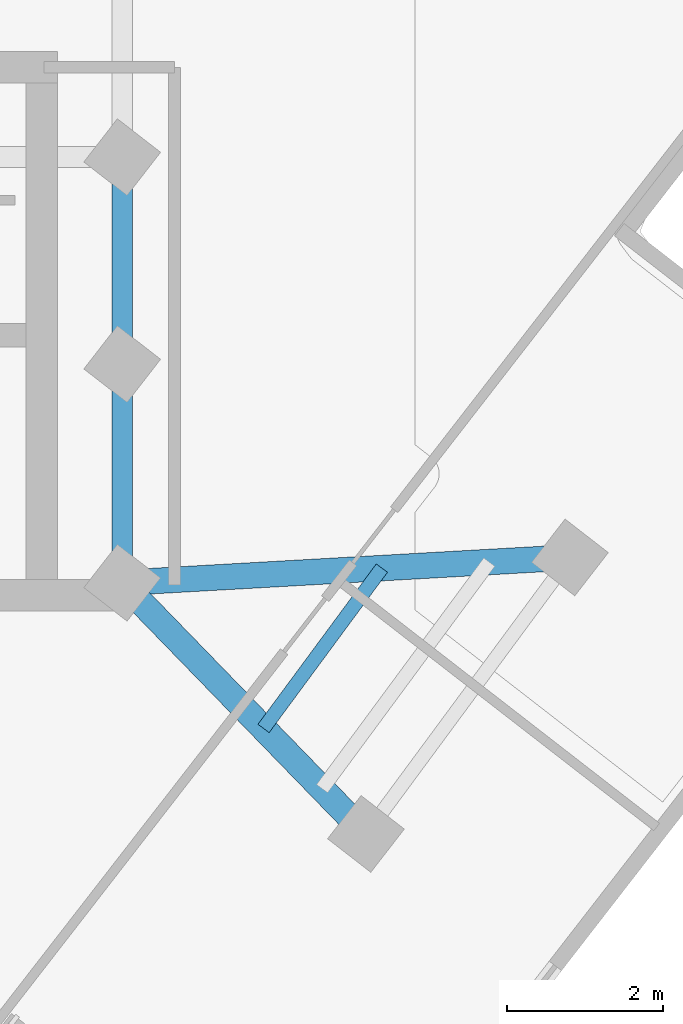
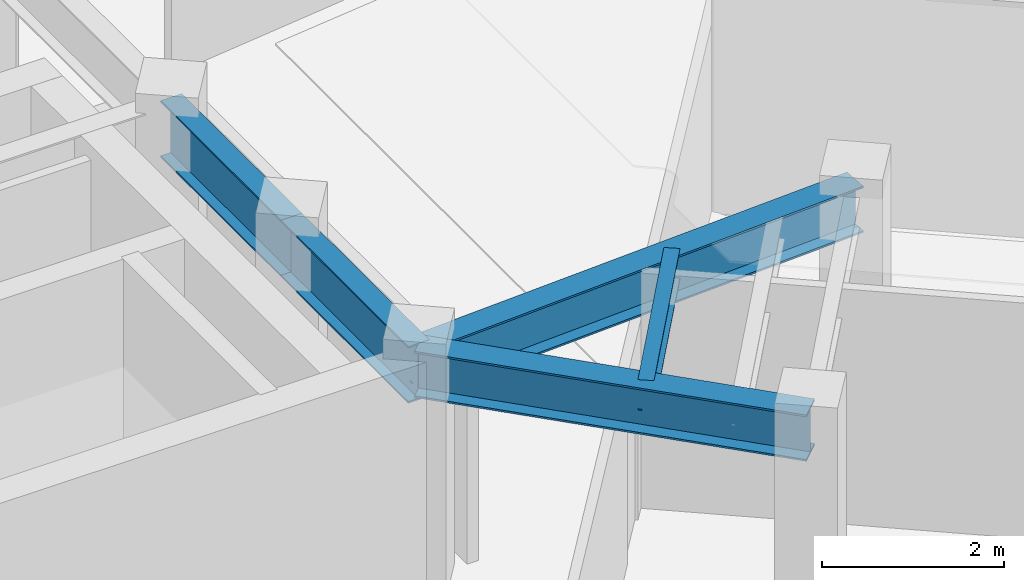
# One storey, part 3 of 10: 5 beams.
"""IFC4 building model written with IfcOpenShell, lengths in metres."""

from ifc_helpers import new_model, si_unit, direction, frame, origin, origin_2d, place, context, subcontext, project, spatial, i_section, extrude, material, material_profile, profile_set, type_object, element, save


model = new_model("IFC4")

# Units and contexts
model_context = context("Model", 3, precision=1e-05, world=origin(), true_north=direction((0.0, 1.0)))
body_context = subcontext(model_context, "Body", "Model", "MODEL_VIEW")
ifc_project = project(units=[si_unit("LENGTHUNIT", "METRE"), si_unit("AREAUNIT", "SQUARE_METRE"), si_unit("VOLUMEUNIT", "CUBIC_METRE"), si_unit("PLANEANGLEUNIT", "RADIAN"), si_unit("MASSUNIT", "GRAM", prefix="KILO")], contexts=[model_context])

# Site, building, storey
site_placement = place(None, origin())
site = spatial("IfcSite", under=ifc_project, at=site_placement, CompositionType="ELEMENT")
building_placement = place(site_placement, origin())
building = spatial("IfcBuilding", under=site, at=building_placement, Name="Solmarez Civic Tower", CompositionType="ELEMENT")
storey_placement = place(building_placement, frame((0.0, 0.0, 257.760009765625)))
storey = spatial("IfcBuildingStorey", under=building, at=storey_placement, Name="L69", CompositionType="ELEMENT", Elevation=257.760009765625)

# Beams
ifc_material = material(Name="Steel S355", Category="steel")
ifc_material_profile_1 = material_profile(ifc_material, i_section(OverallWidth=0.178955078125, OverallDepth=0.409912109375, WebThickness=0.0087890625, FlangeThickness=0.014404296875, at=origin_2d()), Name="W16X45")
ifc_profile_set_1 = profile_set([ifc_material_profile_1], Name="Steel S355")
beam_type_1 = type_object("IfcBeamType", Name="BM-JS-W16X45", PredefinedType="JOIST", material=ifc_profile_set_1)
beam_1_placement = place(storey_placement, frame((10.659912109375, -10.215087890625, 2.955078125), z_axis=(0.593812477683, 0.804603468392, 0.0), x_axis=(-0.804603468392, 0.593812477683, 0.0)))
element("IfcBeam", 1, at=beam_1_placement, inside=storey, type_object=beam_type_1, Name="L69 Secondary Floor Joist JS-L69-SA-M11", PredefinedType="JOIST", context=body_context, shape_type="SweptSolid", body=[
    extrude(i_section(OverallWidth=0.178955078125, OverallDepth=0.409912109375, WebThickness=0.0087890625, FlangeThickness=0.014404296875, at=origin_2d()), origin(), (0.0, 0.0, 1.0), 2.551513671875),
])
ifc_material_profile_2 = material_profile(ifc_material, i_section(OverallWidth=0.327880859375, OverallDepth=0.6220703125, WebThickness=0.015380859375, FlangeThickness=0.0244140625, at=origin_2d()), Name="W24X131")
ifc_profile_set_2 = profile_set([ifc_material_profile_2], Name="Steel S355")
beam_type_2 = type_object("IfcBeamType", Name="BM-PR-W24X131", PredefinedType="BEAM", material=ifc_profile_set_2)
beam_2_placement = place(storey_placement, frame((8.85009765625, -8.35009765625, 2.848876953125), z_axis=(0.696430820305, -0.717623935309, 0.0), x_axis=(0.717623935309, 0.696430820305, 0.0)))
element("IfcBeam", 2, at=beam_2_placement, inside=storey, type_object=beam_type_2, Name="L69 Primary Floor Beam BM-L69-SA-R1A", PredefinedType="BEAM", context=body_context, shape_type="SweptSolid", body=[
    extrude(i_section(OverallWidth=0.327880859375, OverallDepth=0.6220703125, WebThickness=0.015380859375, FlangeThickness=0.0244140625, at=origin_2d()), origin(), (0.0, 0.0, 1.0), 4.481201171875),
])
beam_3_placement = place(storey_placement, frame((8.85009765625, -8.35009765625, 2.848876953125), z_axis=(0.998404650863, 0.056463732917, 0.0), x_axis=(-0.056463732917, 0.998404650863, 0.0)))
element("IfcBeam", 3, at=beam_3_placement, inside=storey, type_object=beam_type_2, Name="L69 Primary Floor Beam BM-L69-SA-R1B", PredefinedType="BEAM", context=body_context, shape_type="SweptSolid", body=[
    extrude(i_section(OverallWidth=0.327880859375, OverallDepth=0.6220703125, WebThickness=0.015380859375, FlangeThickness=0.0244140625, at=origin_2d()), origin(), (0.0, 0.0, 1.0), 5.7421875),
])
ifc_material_profile_3 = material_profile(ifc_material, i_section(OverallWidth=0.26708984375, OverallDepth=0.761962890625, WebThickness=0.014404296875, FlangeThickness=0.021484375, at=origin_2d()), Name="W30X116")
ifc_profile_set_3 = profile_set([ifc_material_profile_3], Name="Steel S355")
beam_type_3 = type_object("IfcBeamType", Name="BM-PR-W30X116", PredefinedType="BEAM", material=ifc_profile_set_3)
beam_4_placement = place(storey_placement, frame((8.85009765625, -8.35009765625, 2.779052734375), z_axis=(0.0, 1.0, 0.0), x_axis=(-1.0, 0.0, 0.0)))
element("IfcBeam", 4, at=beam_4_placement, inside=storey, type_object=beam_type_3, Name="L69 Primary Floor Beam BM-L69-HC10-HC5", PredefinedType="BEAM", context=body_context, shape_type="SweptSolid", body=[
    extrude(i_section(OverallWidth=0.26708984375, OverallDepth=0.761962890625, WebThickness=0.014404296875, FlangeThickness=0.021484375, at=origin_2d()), origin(), (0.0, 0.0, 1.0), 2.800048828125),
])
beam_5_placement = place(storey_placement, frame((8.85009765625, -5.550048828125, 2.779052734375), z_axis=(0.0, 1.0, 0.0), x_axis=(-1.0, 0.0, 0.0)))
element("IfcBeam", 5, at=beam_5_placement, inside=storey, type_object=beam_type_3, Name="L69 Primary Floor Beam BM-L69-HC5-HC6", PredefinedType="BEAM", context=body_context, shape_type="SweptSolid", body=[
    extrude(i_section(OverallWidth=0.26708984375, OverallDepth=0.761962890625, WebThickness=0.014404296875, FlangeThickness=0.021484375, at=origin_2d()), origin(), (0.0, 0.0, 1.0), 2.650146484375),
])

save(model, "model.ifc")
